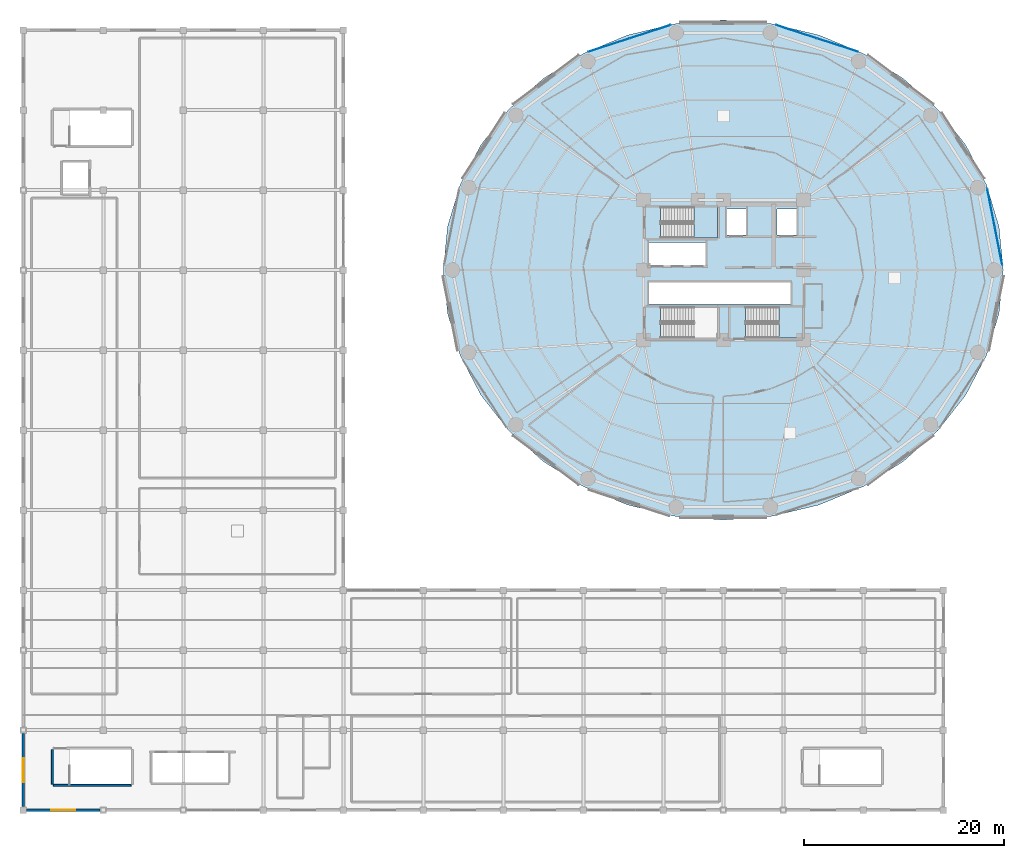
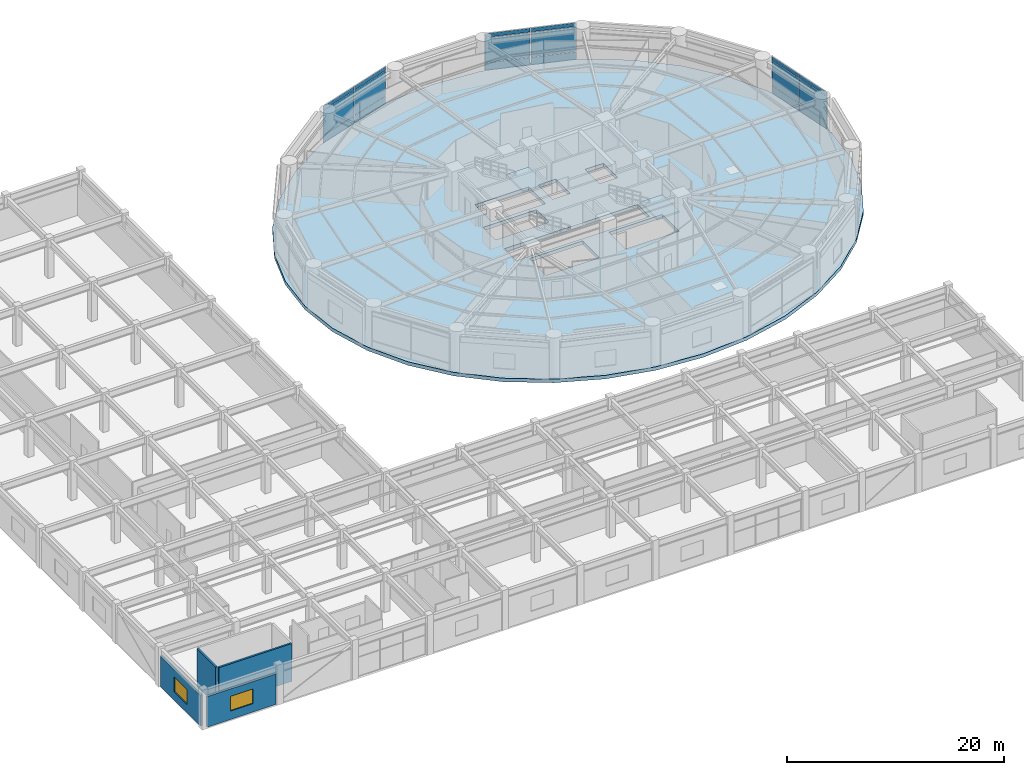
# One storey, part 33 of 46: 18 plates, 4 walls, 3 slabs, 2 windows, 2 openings, 5 elements without a shape of their own.
"""IFC4 building model written with IfcOpenShell, lengths in metres."""

from ifc_helpers import new_model, si_unit, direction, frame, frame_2d, origin, origin_2d, place, context, subcontext, project, spatial, polyline, rectangle, outline, extrude, source, transform, mapped, material, layer, layer_set, type_object, element, fill, aggregate, save


model = new_model("IFC4")

# Units and contexts
model_context = context("Model", 3, precision=1e-05, world=origin(), true_north=direction((0.0, 1.0)))
body_context = subcontext(model_context, "Body", "Model", "MODEL_VIEW")
ifc_project = project(units=[si_unit("LENGTHUNIT", "METRE"), si_unit("AREAUNIT", "SQUARE_METRE"), si_unit("VOLUMEUNIT", "CUBIC_METRE"), si_unit("PLANEANGLEUNIT", "RADIAN"), si_unit("MASSUNIT", "GRAM", prefix="KILO")], contexts=[model_context])

# Site, building, storey
site_placement = place(None, origin())
site = spatial("IfcSite", under=ifc_project, at=site_placement, CompositionType="ELEMENT")
building_placement = place(site_placement, origin())
building = spatial("IfcBuilding", under=site, at=building_placement, Name="Kelanora Arch Commons", CompositionType="ELEMENT")
storey_placement = place(building_placement, frame((0.0, 0.0, 18.0)))
storey = spatial("IfcBuildingStorey", under=building, at=storey_placement, Name="L04", CompositionType="ELEMENT", Elevation=18.0)

# Stair, slab
ifc_material_1 = material(Name="Concrete C40/50", Category="concrete")
stair_type = type_object("IfcStairType", Name="STR-DL-450", PredefinedType="HALF_TURN_STAIR", material=ifc_material_1)
stair_1_placement = place(storey_placement, origin())
stair_1 = element("IfcStair", 1, at=stair_1_placement, inside=storey, type_object=stair_type, Name="L04 ST-T1", PredefinedType="HALF_TURN_STAIR")
ifc_layer_1 = layer(ifc_material_1, 0.199951171875)
ifc_layer_set_1 = layer_set([ifc_layer_1], Name="Concrete C40/50")
slab_type_1 = type_object("IfcSlabType", Name="SLB-STAIR-LND", PredefinedType="LANDING", material=ifc_layer_set_1)
slab_1_placement = place(storey_placement, frame((0.0, 0.0, 2.050048828125)))
slab_1 = element("IfcSlab", 2, at=slab_1_placement, type_object=slab_type_1, Name="ST-T1 landing 1", PredefinedType="LANDING", context=body_context, shape_type="SweptSolid", body=[
    extrude(outline(polyline([(71.080078125, 61.179931640625), (73.43994140625, 61.179931640625), (73.43994140625, 64.2900390625), (71.080078125, 64.2900390625), (71.080078125, 61.179931640625)])), origin(), (0.0, 0.0, 1.0), 0.199951171875),
])
aggregate(stair_1, [slab_1])

stair_2_placement = place(storey_placement, origin())
stair_2 = element("IfcStair", 3, at=stair_2_placement, inside=storey, type_object=stair_type, Name="L04 ST-T2", PredefinedType="HALF_TURN_STAIR")
slab_2_placement = place(storey_placement, frame((0.0, 0.0, 2.050048828125)))
slab_2 = element("IfcSlab", 4, at=slab_2_placement, type_object=slab_type_1, Name="ST-T2 landing 1", PredefinedType="LANDING", context=body_context, shape_type="SweptSolid", body=[
    extrude(outline(polyline([(79.56005859375, 51.179931640625), (81.919921875, 51.179931640625), (81.919921875, 54.2900390625), (79.56005859375, 54.2900390625), (79.56005859375, 51.179931640625)])), origin(), (0.0, 0.0, 1.0), 0.199951171875),
])
aggregate(stair_2, [slab_2])

# Slab
ifc_material_2 = material(Name="Concrete C50/60", Category="concrete")
ifc_layer_2 = layer(ifc_material_2, 0.39990234375)
ifc_layer_set_2 = layer_set([ifc_layer_2], Name="Concrete C50/60")
slab_type_2 = type_object("IfcSlabType", Name="SLB-TWR-XFER", PredefinedType="FLOOR", material=ifc_layer_set_2)
slab_3_placement = place(storey_placement, frame((0.0, 0.0, -0.39990234375)))
element("IfcSlab", 5, at=slab_3_placement, inside=storey, type_object=slab_type_2, Name="Tower Floor Slab L04", PredefinedType="FLOOR", context=body_context, shape_type="SweptSolid", body=[
    extrude(outline(polyline([(102.0, 58.0), (101.57470703125, 62.34130859375), (100.311279296875, 66.550537109375), (98.248779296875, 70.5), (95.44921875, 74.069580078125), (91.998046875, 77.151123046875), (88.0, 79.650634765625), (83.57666015625, 81.4921875), (78.862060546875, 82.6201171875), (74.0, 83.0), (69.137939453125, 82.6201171875), (64.42333984375, 81.4921875), (60.0, 79.650634765625), (56.001953125, 77.151123046875), (52.55078125, 74.069580078125), (49.751220703125, 70.5), (47.688720703125, 66.550537109375), (46.42529296875, 62.34130859375), (46.0, 58.0), (46.42529296875, 53.65869140625), (47.688720703125, 49.449462890625), (49.751220703125, 45.5), (52.55078125, 41.930419921875), (56.001953125, 38.848876953125), (60.0, 36.349365234375), (64.42333984375, 34.5078125), (69.137939453125, 33.3798828125), (74.0, 33.0), (78.862060546875, 33.3798828125), (83.57666015625, 34.5078125), (88.0, 36.349365234375), (91.998046875, 38.848876953125), (95.44921875, 41.930419921875), (98.248779296875, 45.5), (100.311279296875, 49.449462890625), (101.57470703125, 53.65869140625), (102.0, 58.0)]), holes=[polyline([(73.431884765625, 51.18798828125), (67.72802734375, 51.18798828125), (67.72802734375, 54.281982421875), (73.431884765625, 54.281982421875), (73.431884765625, 51.18798828125)]), polyline([(76.2080078125, 51.18798828125), (76.2080078125, 54.281982421875), (81.912109375, 54.281982421875), (81.912109375, 51.18798828125), (76.2080078125, 51.18798828125)]), polyline([(66.550048828125, 54.60009765625), (66.550048828125, 56.800048828125), (80.75, 56.800048828125), (80.75, 54.60009765625), (66.550048828125, 54.60009765625)]), polyline([(66.550048828125, 58.449951171875), (66.550048828125, 60.75), (72.25, 60.75), (72.25, 58.449951171875), (66.550048828125, 58.449951171875)]), polyline([(67.72802734375, 61.18798828125), (67.72802734375, 64.281982421875), (73.431884765625, 64.281982421875), (73.431884765625, 61.18798828125), (67.72802734375, 61.18798828125)]), polyline([(74.3798828125, 61.47998046875), (74.3798828125, 64.1201171875), (76.260009765625, 64.1201171875), (76.260009765625, 61.47998046875), (74.3798828125, 61.47998046875)]), polyline([(79.3798828125, 61.47998046875), (79.3798828125, 64.1201171875), (81.320068359375, 64.1201171875), (81.320068359375, 61.47998046875), (79.3798828125, 61.47998046875)])]), origin(), (0.0, 0.0, 1.0), 0.39990234375),
])

# Curtain wall, plates
ifc_material_3 = material(Name="Terracotta ceramic-fritted low-E glass and aluminium", Category="masonry")
ifc_layer_3 = layer(ifc_material_3, 0.2099609375)
ifc_layer_set_3 = layer_set([ifc_layer_3], Name="Terracotta ceramic-fritted low-E glass and aluminium")
curtain_wall_type = type_object("IfcCurtainWallType", Name="CW-SYS-04", PredefinedType="NOTDEFINED", material=ifc_layer_set_3)
curtain_wall_1_placement = place(storey_placement, origin())
curtain_wall_1 = element("IfcCurtainWall", 6, at=curtain_wall_1_placement, inside=storey, type_object=curtain_wall_type, Name="Unitised Curtain Wall L04-B03", PredefinedType="NOTDEFINED")
ifc_material_4 = material(Name="Clear laminated solar-control double glazing", Category="glass")
ifc_layer_4 = layer(ifc_material_4, 0.033935546875)
ifc_layer_set_4 = layer_set([ifc_layer_4], Name="Clear laminated solar-control double glazing")
plate_type = type_object("IfcPlateType", Name="CWP-CLR", PredefinedType="CURTAIN_PANEL", material=ifc_layer_set_4)
shared_shape_1 = source(origin(), body_context, "Body", "SweptSolid", [
    extrude(rectangle(XDim=4.28466796875, YDim=0.033935546875, at=origin_2d()), origin(), (0.0, 0.0, 1.0), 0.81005859375),
])
plate_1_placement = place(storey_placement, frame((85.44921875, 80.4794921875, 0.06005859375), z_axis=(0.0, 0.0, 1.0), x_axis=(-0.951039444211, 0.309069531911, 0.0)))
plate_1 = element("IfcPlate", 7, at=plate_1_placement, type_object=plate_type, Name="CW-04 panel 1.1", PredefinedType="CURTAIN_PANEL", context=body_context, shape_type="MappedRepresentation", body=[
    mapped(shared_shape_1, transform((0.0, 0.0, 0.0), scale=1.0)),
])
plate_2_placement = place(storey_placement, frame((81.3173828125, 81.822265625, 0.06005859375), z_axis=(0.0, 0.0, 1.0), x_axis=(-0.951039444211, 0.309069531911, 0.0)))
plate_2 = element("IfcPlate", 8, at=plate_2_placement, type_object=plate_type, Name="CW-04 panel 2.1", PredefinedType="CURTAIN_PANEL", context=body_context, shape_type="MappedRepresentation", body=[
    mapped(shared_shape_1, transform((0.0, 0.0, 0.0), scale=1.0)),
])

curtain_wall_2_placement = place(storey_placement, origin())
curtain_wall_2 = element("IfcCurtainWall", 9, at=curtain_wall_2_placement, inside=storey, type_object=curtain_wall_type, Name="Unitised Curtain Wall L04-B05", PredefinedType="NOTDEFINED")
plate_3_placement = place(storey_placement, frame((66.6826171875, 81.822265625, 0.06005859375), z_axis=(0.0, 0.0, 1.0), x_axis=(-0.951039444211, -0.309069531911, 0.0)))
plate_3 = element("IfcPlate", 10, at=plate_3_placement, type_object=plate_type, Name="CW-04 panel 1.1", PredefinedType="CURTAIN_PANEL", context=body_context, shape_type="MappedRepresentation", body=[
    mapped(shared_shape_1, transform((0.0, 0.0, 0.0), scale=1.0)),
])
plate_4_placement = place(storey_placement, frame((62.55078125, 80.4794921875, 0.06005859375), z_axis=(0.0, 0.0, 1.0), x_axis=(-0.951039444211, -0.309069531911, 0.0)))
plate_4 = element("IfcPlate", 11, at=plate_4_placement, type_object=plate_type, Name="CW-04 panel 2.1", PredefinedType="CURTAIN_PANEL", context=body_context, shape_type="MappedRepresentation", body=[
    mapped(shared_shape_1, transform((0.0, 0.0, 0.0), scale=1.0)),
])

# Plate
shared_shape_2 = source(origin(), body_context, "Body", "SweptSolid", [
    extrude(rectangle(XDim=4.28466796875, YDim=0.033935546875, at=origin_2d()), origin(), (0.0, 0.0, 1.0), 0.409912109375),
])
plate_5_placement = place(storey_placement, frame((85.44921875, 80.4794921875, 3.7548828125), z_axis=(0.0, 0.0, 1.0), x_axis=(-0.951039444211, 0.309069531911, 0.0)))
plate_5 = element("IfcPlate", 12, at=plate_5_placement, type_object=plate_type, Name="CW-04 panel 1.3", PredefinedType="CURTAIN_PANEL", context=body_context, shape_type="MappedRepresentation", body=[
    mapped(shared_shape_2, transform((0.0, 0.0, 0.0), scale=1.0)),
])

plate_6_placement = place(storey_placement, frame((81.3173828125, 81.822265625, 3.7548828125), z_axis=(0.0, 0.0, 1.0), x_axis=(-0.951039444211, 0.309069531911, 0.0)))
plate_6 = element("IfcPlate", 13, at=plate_6_placement, type_object=plate_type, Name="CW-04 panel 2.3", PredefinedType="CURTAIN_PANEL", context=body_context, shape_type="MappedRepresentation", body=[
    mapped(shared_shape_2, transform((0.0, 0.0, 0.0), scale=1.0)),
])

plate_7_placement = place(storey_placement, frame((66.6826171875, 81.822265625, 3.7548828125), z_axis=(0.0, 0.0, 1.0), x_axis=(-0.951039444211, -0.309069531911, 0.0)))
plate_7 = element("IfcPlate", 14, at=plate_7_placement, type_object=plate_type, Name="CW-04 panel 1.3", PredefinedType="CURTAIN_PANEL", context=body_context, shape_type="MappedRepresentation", body=[
    mapped(shared_shape_2, transform((0.0, 0.0, 0.0), scale=1.0)),
])

plate_8_placement = place(storey_placement, frame((62.55078125, 80.4794921875, 3.7548828125), z_axis=(0.0, 0.0, 1.0), x_axis=(-0.951039444211, -0.309069531911, 0.0)))
plate_8 = element("IfcPlate", 15, at=plate_8_placement, type_object=plate_type, Name="CW-04 panel 2.3", PredefinedType="CURTAIN_PANEL", context=body_context, shape_type="MappedRepresentation", body=[
    mapped(shared_shape_2, transform((0.0, 0.0, 0.0), scale=1.0)),
])

# Curtain wall, plates
curtain_wall_3_placement = place(storey_placement, origin())
curtain_wall_3 = element("IfcCurtainWall", 16, at=curtain_wall_3_placement, inside=storey, type_object=curtain_wall_type, Name="Unitised Curtain Wall L04-B00", PredefinedType="NOTDEFINED")
shared_shape_3 = source(origin(), body_context, "Body", "SweptSolid", [
    extrude(rectangle(XDim=3.839111328125, YDim=0.033935546875, at=origin_2d()), origin(), (0.0, 0.0, 1.0), 0.81005859375),
])
plate_9_placement = place(storey_placement, frame((101.527587890625, 60.3916015625, 0.06005859375), z_axis=(0.0, 0.0, 1.0), x_axis=(-0.193736821698, 0.981053537743, 0.0)))
plate_9 = element("IfcPlate", 17, at=plate_9_placement, type_object=plate_type, Name="CW-04 panel 1.1", PredefinedType="CURTAIN_PANEL", context=body_context, shape_type="MappedRepresentation", body=[
    mapped(shared_shape_3, transform((0.0, 0.0, 0.0), scale=1.0)),
])
plate_10_placement = place(storey_placement, frame((100.772216796875, 64.216796875, 0.06005859375), z_axis=(0.0, 0.0, 1.0), x_axis=(-0.193736821698, 0.981053537743, 0.0)))
plate_10 = element("IfcPlate", 18, at=plate_10_placement, type_object=plate_type, Name="CW-04 panel 2.1", PredefinedType="CURTAIN_PANEL", context=body_context, shape_type="MappedRepresentation", body=[
    mapped(shared_shape_3, transform((0.0, 0.0, 0.0), scale=1.0)),
])
shared_shape_4 = source(origin(), body_context, "Body", "SweptSolid", [
    extrude(rectangle(XDim=3.839111328125, YDim=0.033935546875, at=origin_2d()), origin(), (0.0, 0.0, 1.0), 2.764892578125),
])
plate_11_placement = place(storey_placement, frame((101.527587890625, 60.3916015625, 0.93017578125), z_axis=(0.0, 0.0, 1.0), x_axis=(-0.193736821698, 0.981053537743, 0.0)))
plate_11 = element("IfcPlate", 19, at=plate_11_placement, type_object=plate_type, Name="CW-04 panel 1.2", PredefinedType="CURTAIN_PANEL", context=body_context, shape_type="MappedRepresentation", body=[
    mapped(shared_shape_4, transform((0.0, 0.0, 0.0), scale=1.0)),
])
plate_12_placement = place(storey_placement, frame((100.772216796875, 64.216796875, 0.93017578125), z_axis=(0.0, 0.0, 1.0), x_axis=(-0.193736821698, 0.981053537743, 0.0)))
plate_12 = element("IfcPlate", 20, at=plate_12_placement, type_object=plate_type, Name="CW-04 panel 2.2", PredefinedType="CURTAIN_PANEL", context=body_context, shape_type="MappedRepresentation", body=[
    mapped(shared_shape_4, transform((0.0, 0.0, 0.0), scale=1.0)),
])
shared_shape_5 = source(origin(), body_context, "Body", "SweptSolid", [
    extrude(rectangle(XDim=3.839111328125, YDim=0.033935546875, at=origin_2d()), origin(), (0.0, 0.0, 1.0), 0.409912109375),
])
plate_13_placement = place(storey_placement, frame((101.527587890625, 60.3916015625, 3.7548828125), z_axis=(0.0, 0.0, 1.0), x_axis=(-0.193736821698, 0.981053537743, 0.0)))
plate_13 = element("IfcPlate", 21, at=plate_13_placement, type_object=plate_type, Name="CW-04 panel 1.3", PredefinedType="CURTAIN_PANEL", context=body_context, shape_type="MappedRepresentation", body=[
    mapped(shared_shape_5, transform((0.0, 0.0, 0.0), scale=1.0)),
])
plate_14_placement = place(storey_placement, frame((100.772216796875, 64.216796875, 3.7548828125), z_axis=(0.0, 0.0, 1.0), x_axis=(-0.193736821698, 0.981053537743, 0.0)))
plate_14 = element("IfcPlate", 22, at=plate_14_placement, type_object=plate_type, Name="CW-04 panel 2.3", PredefinedType="CURTAIN_PANEL", context=body_context, shape_type="MappedRepresentation", body=[
    mapped(shared_shape_5, transform((0.0, 0.0, 0.0), scale=1.0)),
])
aggregate(curtain_wall_3, [plate_9, plate_11, plate_13, plate_10, plate_12, plate_14])

# Plate
shared_shape_6 = source(origin(), body_context, "Body", "SweptSolid", [
    extrude(rectangle(XDim=4.28466796875, YDim=0.033935546875, at=origin_2d()), origin(), (0.0, 0.0, 1.0), 2.764892578125),
])
plate_15_placement = place(storey_placement, frame((85.44921875, 80.4794921875, 0.93017578125), z_axis=(0.0, 0.0, 1.0), x_axis=(-0.951039444211, 0.309069531911, 0.0)))
plate_15 = element("IfcPlate", 23, at=plate_15_placement, type_object=plate_type, Name="CW-04 panel 1.2", PredefinedType="CURTAIN_PANEL", context=body_context, shape_type="MappedRepresentation", body=[
    mapped(shared_shape_6, transform((0.0, 0.0, 0.0), scale=1.0)),
])

plate_16_placement = place(storey_placement, frame((81.3173828125, 81.822265625, 0.93017578125), z_axis=(0.0, 0.0, 1.0), x_axis=(-0.951039444211, 0.309069531911, 0.0)))
plate_16 = element("IfcPlate", 24, at=plate_16_placement, type_object=plate_type, Name="CW-04 panel 2.2", PredefinedType="CURTAIN_PANEL", context=body_context, shape_type="MappedRepresentation", body=[
    mapped(shared_shape_6, transform((0.0, 0.0, 0.0), scale=1.0)),
])

aggregate(curtain_wall_1, [plate_1, plate_15, plate_5, plate_2, plate_16, plate_6])

plate_17_placement = place(storey_placement, frame((66.6826171875, 81.822265625, 0.93017578125), z_axis=(0.0, 0.0, 1.0), x_axis=(-0.951039444211, -0.309069531911, 0.0)))
plate_17 = element("IfcPlate", 25, at=plate_17_placement, type_object=plate_type, Name="CW-04 panel 1.2", PredefinedType="CURTAIN_PANEL", context=body_context, shape_type="MappedRepresentation", body=[
    mapped(shared_shape_6, transform((0.0, 0.0, 0.0), scale=1.0)),
])

plate_18_placement = place(storey_placement, frame((62.55078125, 80.4794921875, 0.93017578125), z_axis=(0.0, 0.0, 1.0), x_axis=(-0.951039444211, -0.309069531911, 0.0)))
plate_18 = element("IfcPlate", 26, at=plate_18_placement, type_object=plate_type, Name="CW-04 panel 2.2", PredefinedType="CURTAIN_PANEL", context=body_context, shape_type="MappedRepresentation", body=[
    mapped(shared_shape_6, transform((0.0, 0.0, 0.0), scale=1.0)),
])

aggregate(curtain_wall_2, [plate_3, plate_17, plate_7, plate_4, plate_18, plate_8])

# Wall, opening, window
ifc_material_5 = material(Name="Precast concrete C40/50 with terracotta ceramic cladding", Category="masonry")
ifc_layer_5 = layer(ifc_material_5, 0.25)
ifc_layer_set_5 = layer_set([ifc_layer_5], Name="Precast concrete C40/50 with terracotta ceramic cladding")
wall_type_1 = type_object("IfcWallType", Name="W-EXT-MKT", PredefinedType="SOLIDWALL", material=ifc_layer_set_5)
wall_1_placement = place(storey_placement, frame((4.330078125, 4.0, 0.0), z_axis=(0.0, 0.0, 1.0), x_axis=(1.0, 0.0, 0.0)))
wall_1 = element("IfcWall", 27, at=wall_1_placement, inside=storey, type_object=wall_type_1, Name="Market Hall Exterior Wall L04-00", PredefinedType="SOLIDWALL", context=body_context, shape_type="SweptSolid", body=[
    extrude(rectangle(XDim=7.33984375, YDim=0.25, at=frame_2d((3.669921875, 0.0))), origin(), (0.0, 0.0, 1.0), 3.43994140625),
])
opening_1_placement = place(wall_1_placement, frame((2.469970703125, 0.0, 0.949951171875)))
opening_1 = element("IfcOpeningElement", 28, at=opening_1_placement, cuts=wall_1, Name="Opening WN-03", PredefinedType="OPENING", context=body_context, shape_type="SweptSolid", body=[
    extrude(rectangle(XDim=2.39990234375, YDim=1.64990234375, at=frame_2d((1.199951171875, 0.824951171875))), frame((0.0, 0.135009765625, 0.0), z_axis=(0.0, -1.0, 0.0), x_axis=(1.0, 0.0, 0.0)), (0.0, 0.0, 1.0), 0.27001953125),
])
ifc_material_6 = material(Name="Bronze-terracotta aluminium monsoon clerestory window", Category="masonry")
window_type = type_object("IfcWindowType", Name="WIN-MKT-24", PartitioningType="TRIPLE_PANEL_VERTICAL", PredefinedType="WINDOW", material=ifc_material_6)
window_1_placement = place(opening_1_placement, origin())
window_1 = element("IfcWindow", 29, at=window_1_placement, inside=storey, type_object=window_type, Name="Market Hall Clerestory Window L04-00", OverallHeight=1.64990234375, OverallWidth=2.39990234375, PartitioningType="SINGLE_PANEL", PredefinedType="WINDOW", context=body_context, shape_type="SweptSolid", body=[
    extrude(rectangle(XDim=2.39990234375, YDim=1.64990234375, at=frame_2d((1.199951171875, 0.824951171875))), frame((0.0, 0.030029296875, 0.0), z_axis=(0.0, -1.0, 0.0), x_axis=(1.0, 0.0, 0.0)), (0.0, 0.0, 1.0), 0.06005859375),
])
fill(opening_1, window_1)

wall_2_placement = place(storey_placement, frame((4.0, 11.669921875, 0.0), z_axis=(0.0, 0.0, 1.0), x_axis=(0.0, -1.0, 0.0)))
wall_2 = element("IfcWall", 30, at=wall_2_placement, inside=storey, type_object=wall_type_1, Name="Market Hall Exterior Wall L04-43", PredefinedType="SOLIDWALL", context=body_context, shape_type="SweptSolid", body=[
    extrude(rectangle(XDim=7.33984375, YDim=0.25, at=frame_2d((3.669921875, 0.0))), origin(), (0.0, 0.0, 1.0), 3.43994140625),
])
opening_2_placement = place(wall_2_placement, frame((2.469970703125, 0.0, 0.949951171875)))
opening_2 = element("IfcOpeningElement", 31, at=opening_2_placement, cuts=wall_2, Name="Opening WN-03", PredefinedType="OPENING", context=body_context, shape_type="SweptSolid", body=[
    extrude(rectangle(XDim=2.39990234375, YDim=1.64990234375, at=frame_2d((1.199951171875, 0.824951171875))), frame((0.0, 0.135009765625, 0.0), z_axis=(0.0, -1.0, 0.0), x_axis=(1.0, 0.0, 0.0)), (0.0, 0.0, 1.0), 0.27001953125),
])
window_2_placement = place(opening_2_placement, origin())
window_2 = element("IfcWindow", 32, at=window_2_placement, inside=storey, type_object=window_type, Name="Market Hall Clerestory Window L04-43", OverallHeight=1.64990234375, OverallWidth=2.39990234375, PartitioningType="SINGLE_PANEL", PredefinedType="WINDOW", context=body_context, shape_type="SweptSolid", body=[
    extrude(rectangle(XDim=2.39990234375, YDim=1.64990234375, at=frame_2d((1.199951171875, 0.824951171875))), frame((0.0, 0.030029296875, 0.0), z_axis=(0.0, -1.0, 0.0), x_axis=(1.0, 0.0, 0.0)), (0.0, 0.0, 1.0), 0.06005859375),
])
fill(opening_2, window_2)

# Walls
ifc_layer_6 = layer(ifc_material_1, 0.199951171875)
ifc_layer_set_6 = layer_set([ifc_layer_6], Name="Concrete C40/50")
wall_type_2 = type_object("IfcWallType", Name="W-STAIR-200", PredefinedType="SHEAR", material=ifc_layer_set_6)
wall_3_placement = place(storey_placement, frame((7.02001953125, 6.4599609375, 0.0), z_axis=(0.0, 0.0, 1.0), x_axis=(1.0, 0.0, 0.0)))
element("IfcWall", 33, at=wall_3_placement, inside=storey, type_object=wall_type_2, Name="Stair ST-M1 Shaft Wall S L04", PredefinedType="SHEAR", context=body_context, shape_type="SweptSolid", body=[
    extrude(rectangle(XDim=7.760009765625, YDim=0.199951171875, at=frame_2d((3.8798828125, 0.0))), origin(), (0.0, 0.0, 1.0), 4.260009765625),
])
wall_4_placement = place(storey_placement, frame((6.89990234375, 10.050048828125, 0.0), z_axis=(0.0, 0.0, 1.0), x_axis=(0.0, -1.0, 0.0)))
element("IfcWall", 34, at=wall_4_placement, inside=storey, type_object=wall_type_2, Name="Stair ST-M1 Shaft Wall W L04", PredefinedType="SHEAR", context=body_context, shape_type="SweptSolid", body=[
    extrude(rectangle(XDim=3.469970703125, YDim=0.199951171875, at=frame_2d((1.73486328125, 0.0))), origin(), (0.0, 0.0, 1.0), 4.260009765625),
])

save(model, "model.ifc")
